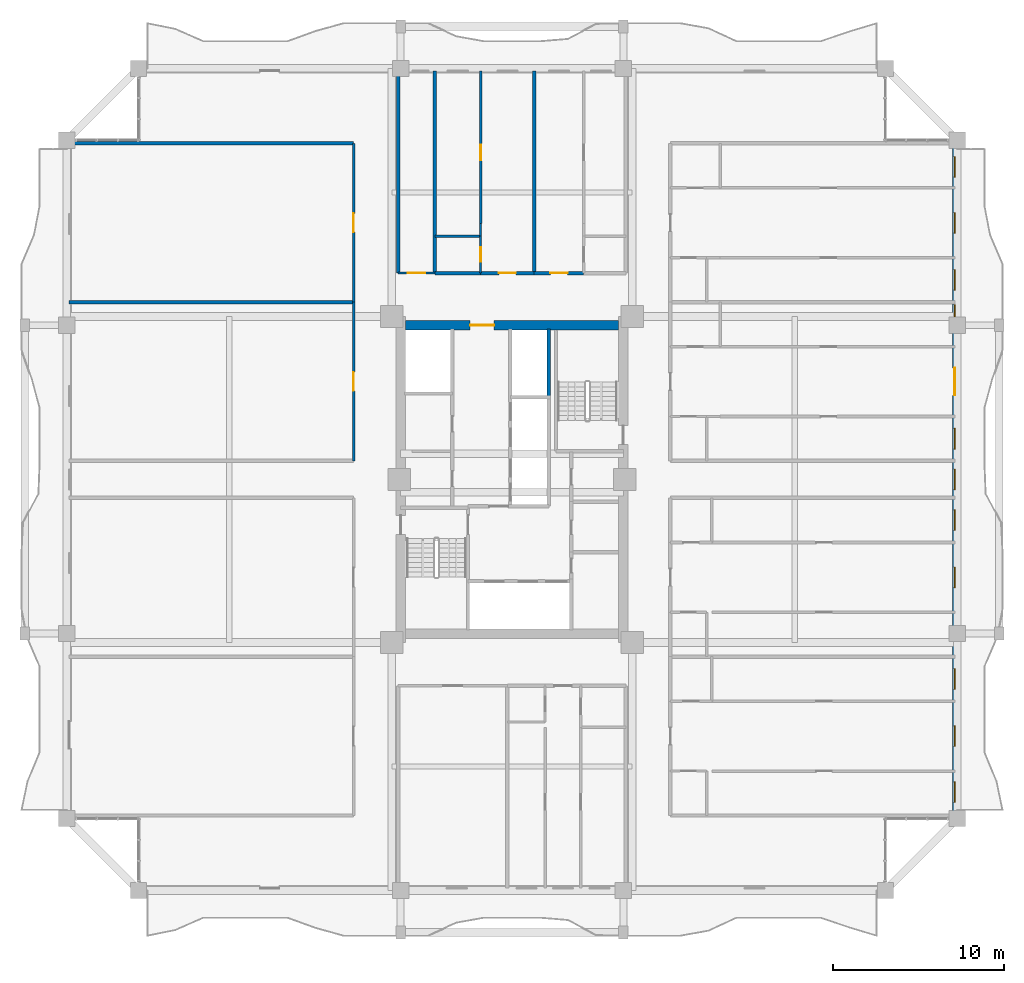
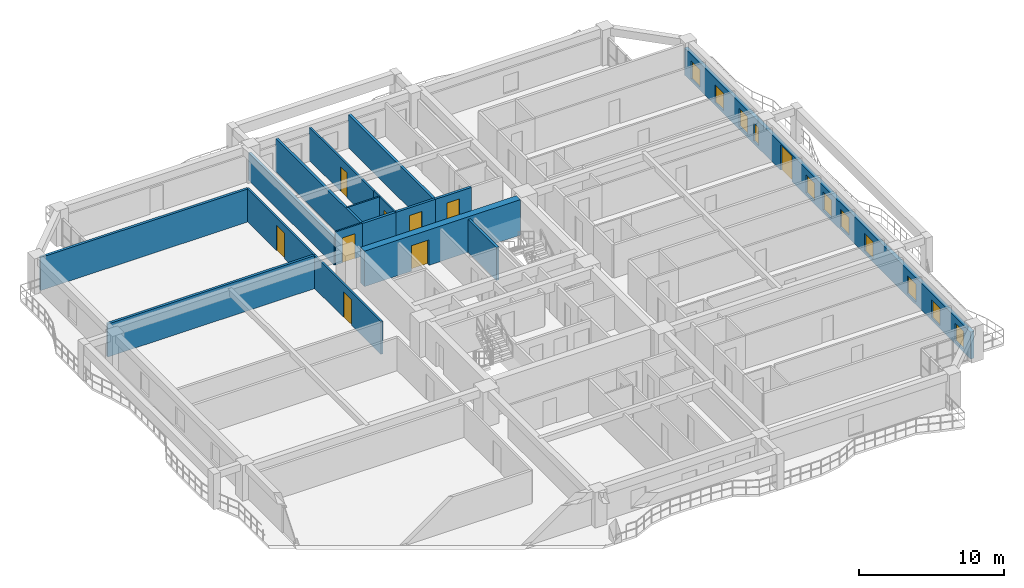
# One storey, part 17 of 24: 18 walls, 11 windows, 9 doors, 20 openings.
"""IFC4 building model written with IfcOpenShell, lengths in metres."""

from ifc_helpers import new_model, si_unit, direction, frame, frame_2d, origin, place, context, subcontext, project, spatial, rectangle, extrude, source, transform, mapped, material, layer, layer_set, type_object, element, fill, save


model = new_model("IFC4")

# Units and contexts
model_context = context("Model", 3, precision=1e-05, world=origin(), true_north=direction((0.0, 1.0)))
body_context = subcontext(model_context, "Body", "Model", "MODEL_VIEW")
ifc_project = project(units=[si_unit("LENGTHUNIT", "METRE"), si_unit("AREAUNIT", "SQUARE_METRE"), si_unit("VOLUMEUNIT", "CUBIC_METRE"), si_unit("PLANEANGLEUNIT", "RADIAN"), si_unit("MASSUNIT", "GRAM", prefix="KILO")], contexts=[model_context])

# Site, building, storey
site_placement = place(None, origin())
site = spatial("IfcSite", under=ifc_project, at=site_placement, CompositionType="ELEMENT")
building_placement = place(site_placement, origin())
building = spatial("IfcBuilding", under=site, at=building_placement, Name="Saelheon Loggia Tower", CompositionType="ELEMENT")
storey_placement = place(building_placement, frame((0.0, 0.0, 98.85009765625)))
storey = spatial("IfcBuildingStorey", under=building, at=storey_placement, Name="L31", CompositionType="ELEMENT", Elevation=98.85009765625)

# Wall, opening, door
ifc_material_1 = material(Name="Concrete C50/60", Category="concrete")
ifc_layer_1 = layer(ifc_material_1, 0.550048828125)
ifc_layer_set_1 = layer_set([ifc_layer_1], Name="Concrete C50/60")
wall_type_1 = type_object("IfcWallType", Name="Wall_CoreShear_550", PredefinedType="SHEAR", material=ifc_layer_set_1)
wall_1_placement = place(storey_placement, frame((31.77490234375, 36.0, 0.0), z_axis=(0.0, 0.0, 1.0), x_axis=(1.0, 0.0, 0.0)))
wall_1 = element("IfcWall", 1, at=wall_1_placement, inside=storey, type_object=wall_type_1, Name="L31 Core Shear Wall North", PredefinedType="SHEAR", context=body_context, shape_type="SweptSolid", body=[
    extrude(rectangle(XDim=12.4501953125, YDim=0.550048828125, at=frame_2d((6.22509765625, 0.0))), origin(), (0.0, 0.0, 1.0), 3.0),
])
opening_1_placement = place(wall_1_placement, frame((5.1748046875, 0.0, 0.0), z_axis=(0.0, 0.0, 1.0), x_axis=(-1.0, 0.0, 0.0)))
opening_1 = element("IfcOpeningElement", 2, at=opening_1_placement, cuts=wall_1, Name="Opening D-FD2L", PredefinedType="OPENING", context=body_context, shape_type="SweptSolid", body=[
    extrude(rectangle(XDim=1.39990234375, YDim=2.14990234375, at=frame_2d((0.699951171875, 1.074951171875))), frame((0.0, 0.287109375, 0.0), z_axis=(0.0, -1.0, 0.0), x_axis=(1.0, 0.0, 0.0)), (0.0, 0.0, 1.0), 0.573974609375),
])
ifc_material_2 = material(Name="Galvanised Steel Glazed Lobby Fire Door", Category="steel")
door_type_1 = type_object("IfcDoorType", Name="Door_Fire_FD60_1400", OperationType="NOTDEFINED", PredefinedType="DOOR", material=ifc_material_2)
shared_shape_1 = source(origin(), body_context, "Body", "SweptSolid", [
    extrude(rectangle(XDim=1.39990234375, YDim=2.14990234375, at=frame_2d((0.699951171875, 1.074951171875))), frame((0.0, 0.02490234375, 0.0), z_axis=(0.0, -1.0, 0.0), x_axis=(1.0, 0.0, 0.0)), (0.0, 0.0, 1.0), 0.050048828125),
])
door_1_placement = place(opening_1_placement, origin())
door_1 = element("IfcDoor", 3, at=door_1_placement, inside=storey, type_object=door_type_1, Name="L31 Passenger Lift Lobby Main Door", OperationType="SINGLE_SWING_RIGHT", OverallHeight=2.14990234375, OverallWidth=1.39990234375, PredefinedType="DOOR", context=body_context, shape_type="MappedRepresentation", body=[
    mapped(shared_shape_1, transform((0.0, 0.0, 0.0), scale=1.0)),
])
fill(opening_1, door_1)

# Wall, openings, windows, door
ifc_material_3 = material(Name="Architectural Precast Concrete C40/50", Category="concrete")
ifc_layer_2 = layer(ifc_material_3, 0.280029296875)
ifc_layer_set_2 = layer_set([ifc_layer_2], Name="Architectural Precast Concrete C40/50")
wall_type_2 = type_object("IfcWallType", Name="Wall_Ext_Loggia_280", PredefinedType="SOLIDWALL", material=ifc_layer_set_2)
wall_2_placement = place(storey_placement, frame((63.860107421875, 7.199951171875, 0.0), z_axis=(0.0, 0.0, 1.0), x_axis=(0.0, 1.0, 0.0)))
wall_2 = element("IfcWall", 4, at=wall_2_placement, inside=storey, type_object=wall_type_2, Name="L31 East Loggia Inner Wall", PredefinedType="SOLIDWALL", context=body_context, shape_type="SweptSolid", body=[
    extrude(rectangle(XDim=39.60009765625, YDim=0.280029296875, at=frame_2d((19.800048828125, 0.0))), origin(), (0.0, 0.0, 1.0), 2.27978515625),
])
opening_2_placement = place(wall_2_placement, frame((0.9453125, 0.0, 0.25)))
opening_2 = element("IfcOpeningElement", 5, at=opening_2_placement, cuts=wall_2, Name="Opening WN-03", PredefinedType="OPENING", context=body_context, shape_type="SweptSolid", body=[
    extrude(rectangle(XDim=1.199951171875, YDim=1.5, at=frame_2d((0.60009765625, 0.75))), frame((0.0, 0.152099609375, 0.0), z_axis=(0.0, -1.0, 0.0), x_axis=(1.0, 0.0, 0.0)), (0.0, 0.0, 1.0), 0.303955078125),
])
opening_3_placement = place(wall_2_placement, frame((4.212890625, 0.0, 0.25)))
opening_3 = element("IfcOpeningElement", 6, at=opening_3_placement, cuts=wall_2, Name="Opening WN-03", PredefinedType="OPENING", context=body_context, shape_type="SweptSolid", body=[
    extrude(rectangle(XDim=1.199951171875, YDim=1.5, at=frame_2d((0.60009765625, 0.75))), frame((0.0, 0.152099609375, 0.0), z_axis=(0.0, -1.0, 0.0), x_axis=(1.0, 0.0, 0.0)), (0.0, 0.0, 1.0), 0.303955078125),
])
opening_4_placement = place(wall_2_placement, frame((7.550048828125, 0.0, 0.25)))
opening_4 = element("IfcOpeningElement", 7, at=opening_4_placement, cuts=wall_2, Name="Opening WN-03", PredefinedType="OPENING", context=body_context, shape_type="SweptSolid", body=[
    extrude(rectangle(XDim=1.199951171875, YDim=1.5, at=frame_2d((0.60009765625, 0.75))), frame((0.0, 0.152099609375, 0.0), z_axis=(0.0, -1.0, 0.0), x_axis=(1.0, 0.0, 0.0)), (0.0, 0.0, 1.0), 0.303955078125),
])
opening_5_placement = place(wall_2_placement, frame((13.48291015625, 0.0, 0.25)))
opening_5 = element("IfcOpeningElement", 8, at=opening_5_placement, cuts=wall_2, Name="Opening WN-03", PredefinedType="OPENING", context=body_context, shape_type="SweptSolid", body=[
    extrude(rectangle(XDim=1.199951171875, YDim=1.5, at=frame_2d((0.60009765625, 0.75))), frame((0.0, 0.152099609375, 0.0), z_axis=(0.0, -1.0, 0.0), x_axis=(1.0, 0.0, 0.0)), (0.0, 0.0, 1.0), 0.303955078125),
])
opening_6_placement = place(wall_2_placement, frame((16.820068359375, 0.0, 0.25)))
opening_6 = element("IfcOpeningElement", 9, at=opening_6_placement, cuts=wall_2, Name="Opening WN-03", PredefinedType="OPENING", context=body_context, shape_type="SweptSolid", body=[
    extrude(rectangle(XDim=1.199951171875, YDim=1.5, at=frame_2d((0.60009765625, 0.75))), frame((0.0, 0.152099609375, 0.0), z_axis=(0.0, -1.0, 0.0), x_axis=(1.0, 0.0, 0.0)), (0.0, 0.0, 1.0), 0.303955078125),
])
opening_7_placement = place(wall_2_placement, frame((19.199951171875, 0.0, 0.25)))
opening_7 = element("IfcOpeningElement", 10, at=opening_7_placement, cuts=wall_2, Name="Opening WN-03", PredefinedType="OPENING", context=body_context, shape_type="SweptSolid", body=[
    extrude(rectangle(XDim=1.199951171875, YDim=1.5, at=frame_2d((0.60009765625, 0.75))), frame((0.0, 0.152099609375, 0.0), z_axis=(0.0, -1.0, 0.0), x_axis=(1.0, 0.0, 0.0)), (0.0, 0.0, 1.0), 0.303955078125),
])
opening_8_placement = place(wall_2_placement, frame((21.577880859375, 0.0, 0.25)))
opening_8 = element("IfcOpeningElement", 11, at=opening_8_placement, cuts=wall_2, Name="Opening WN-03", PredefinedType="OPENING", context=body_context, shape_type="SweptSolid", body=[
    extrude(rectangle(XDim=1.199951171875, YDim=1.5, at=frame_2d((0.60009765625, 0.75))), frame((0.0, 0.152099609375, 0.0), z_axis=(0.0, -1.0, 0.0), x_axis=(1.0, 0.0, 0.0)), (0.0, 0.0, 1.0), 0.303955078125),
])
opening_9_placement = place(wall_2_placement, frame((26.31298828125, 0.0, 0.0), z_axis=(0.0, 0.0, 1.0), x_axis=(-1.0, 0.0, 0.0)))
opening_9 = element("IfcOpeningElement", 12, at=opening_9_placement, cuts=wall_2, Name="Opening DLG-1", PredefinedType="OPENING", context=body_context, shape_type="SweptSolid", body=[
    extrude(rectangle(XDim=1.60009765625, YDim=2.14990234375, at=frame_2d((0.800048828125, 1.074951171875))), frame((0.0, 0.152099609375, 0.0), z_axis=(0.0, -1.0, 0.0), x_axis=(1.0, 0.0, 0.0)), (0.0, 0.0, 1.0), 0.303955078125),
])
opening_10_placement = place(wall_2_placement, frame((29.304931640625, 0.0, 0.25)))
opening_10 = element("IfcOpeningElement", 13, at=opening_10_placement, cuts=wall_2, Name="Opening WN-06", PredefinedType="OPENING", context=body_context, shape_type="SweptSolid", body=[
    extrude(rectangle(XDim=0.699951171875, YDim=1.5, at=frame_2d((0.35009765625, 0.75))), frame((0.0, 0.152099609375, 0.0), z_axis=(0.0, -1.0, 0.0), x_axis=(1.0, 0.0, 0.0)), (0.0, 0.0, 1.0), 0.303955078125),
])
opening_11_placement = place(wall_2_placement, frame((30.847900390625, 0.0, 0.25)))
opening_11 = element("IfcOpeningElement", 14, at=opening_11_placement, cuts=wall_2, Name="Opening WN-03", PredefinedType="OPENING", context=body_context, shape_type="SweptSolid", body=[
    extrude(rectangle(XDim=1.199951171875, YDim=1.5, at=frame_2d((0.60009765625, 0.75))), frame((0.0, 0.152099609375, 0.0), z_axis=(0.0, -1.0, 0.0), x_axis=(1.0, 0.0, 0.0)), (0.0, 0.0, 1.0), 0.303955078125),
])
opening_12_placement = place(wall_2_placement, frame((34.182861328125, 0.0, 0.25)))
opening_12 = element("IfcOpeningElement", 15, at=opening_12_placement, cuts=wall_2, Name="Opening WN-03", PredefinedType="OPENING", context=body_context, shape_type="SweptSolid", body=[
    extrude(rectangle(XDim=1.199951171875, YDim=1.5, at=frame_2d((0.60009765625, 0.75))), frame((0.0, 0.152099609375, 0.0), z_axis=(0.0, -1.0, 0.0), x_axis=(1.0, 0.0, 0.0)), (0.0, 0.0, 1.0), 0.303955078125),
])
opening_13_placement = place(wall_2_placement, frame((37.452392578125, 0.0, 0.25)))
opening_13 = element("IfcOpeningElement", 16, at=opening_13_placement, cuts=wall_2, Name="Opening WN-03", PredefinedType="OPENING", context=body_context, shape_type="SweptSolid", body=[
    extrude(rectangle(XDim=1.199951171875, YDim=1.5, at=frame_2d((0.60009765625, 0.75))), frame((0.0, 0.152099609375, 0.0), z_axis=(0.0, -1.0, 0.0), x_axis=(1.0, 0.0, 0.0)), (0.0, 0.0, 1.0), 0.303955078125),
])
ifc_material_4 = material(Name="Thermal-Break Aluminium and Triple Low-E Glass", Category="aluminium")
window_type_1 = type_object("IfcWindowType", Name="Win_Slot_700x1500", PartitioningType="SINGLE_PANEL", PredefinedType="WINDOW", material=ifc_material_4)
shared_shape_2 = source(origin(), body_context, "Body", "SweptSolid", [
    extrude(rectangle(XDim=0.699951171875, YDim=1.5, at=frame_2d((0.35009765625, 0.75))), frame((0.0, 0.030029296875, 0.0), z_axis=(0.0, -1.0, 0.0), x_axis=(1.0, 0.0, 0.0)), (0.0, 0.0, 1.0), 0.06005859375),
])
window_1_placement = place(opening_10_placement, origin())
window_1 = element("IfcWindow", 17, at=window_1_placement, inside=storey, type_object=window_type_1, Name="L31 E Dwelling Window 9", OverallHeight=1.5, OverallWidth=0.699951171875, PartitioningType="SINGLE_PANEL", PredefinedType="WINDOW", context=body_context, shape_type="MappedRepresentation", body=[
    mapped(shared_shape_2, transform((0.0, 0.0, 0.0), scale=1.0)),
])
fill(opening_10, window_1)
window_type_2 = type_object("IfcWindowType", Name="Win_Bedroom_1200x1500", PartitioningType="SINGLE_PANEL", PredefinedType="WINDOW", material=ifc_material_4)
shared_shape_3 = source(origin(), body_context, "Body", "SweptSolid", [
    extrude(rectangle(XDim=1.199951171875, YDim=1.5, at=frame_2d((0.60009765625, 0.75))), frame((0.0, 0.030029296875, 0.0), z_axis=(0.0, -1.0, 0.0), x_axis=(1.0, 0.0, 0.0)), (0.0, 0.0, 1.0), 0.06005859375),
])
window_2_placement = place(opening_2_placement, origin())
window_2 = element("IfcWindow", 18, at=window_2_placement, inside=storey, type_object=window_type_2, Name="L31 E Dwelling Window 1", OverallHeight=1.5, OverallWidth=1.199951171875, PartitioningType="SINGLE_PANEL", PredefinedType="WINDOW", context=body_context, shape_type="MappedRepresentation", body=[
    mapped(shared_shape_3, transform((0.0, 0.0, 0.0), scale=1.0)),
])
fill(opening_2, window_2)
window_3_placement = place(opening_3_placement, origin())
window_3 = element("IfcWindow", 19, at=window_3_placement, inside=storey, type_object=window_type_2, Name="L31 E Dwelling Window 2", OverallHeight=1.5, OverallWidth=1.199951171875, PartitioningType="SINGLE_PANEL", PredefinedType="WINDOW", context=body_context, shape_type="MappedRepresentation", body=[
    mapped(shared_shape_3, transform((0.0, 0.0, 0.0), scale=1.0)),
])
fill(opening_3, window_3)
window_4_placement = place(opening_4_placement, origin())
window_4 = element("IfcWindow", 20, at=window_4_placement, inside=storey, type_object=window_type_2, Name="L31 E Dwelling Window 3", OverallHeight=1.5, OverallWidth=1.199951171875, PartitioningType="SINGLE_PANEL", PredefinedType="WINDOW", context=body_context, shape_type="MappedRepresentation", body=[
    mapped(shared_shape_3, transform((0.0, 0.0, 0.0), scale=1.0)),
])
fill(opening_4, window_4)
window_5_placement = place(opening_5_placement, origin())
window_5 = element("IfcWindow", 21, at=window_5_placement, inside=storey, type_object=window_type_2, Name="L31 E Dwelling Window 4", OverallHeight=1.5, OverallWidth=1.199951171875, PartitioningType="SINGLE_PANEL", PredefinedType="WINDOW", context=body_context, shape_type="MappedRepresentation", body=[
    mapped(shared_shape_3, transform((0.0, 0.0, 0.0), scale=1.0)),
])
fill(opening_5, window_5)
window_6_placement = place(opening_6_placement, origin())
window_6 = element("IfcWindow", 22, at=window_6_placement, inside=storey, type_object=window_type_2, Name="L31 E Dwelling Window 5", OverallHeight=1.5, OverallWidth=1.199951171875, PartitioningType="SINGLE_PANEL", PredefinedType="WINDOW", context=body_context, shape_type="MappedRepresentation", body=[
    mapped(shared_shape_3, transform((0.0, 0.0, 0.0), scale=1.0)),
])
fill(opening_6, window_6)
window_7_placement = place(opening_7_placement, origin())
window_7 = element("IfcWindow", 23, at=window_7_placement, inside=storey, type_object=window_type_2, Name="L31 E Dwelling Window 6", OverallHeight=1.5, OverallWidth=1.199951171875, PartitioningType="SINGLE_PANEL", PredefinedType="WINDOW", context=body_context, shape_type="MappedRepresentation", body=[
    mapped(shared_shape_3, transform((0.0, 0.0, 0.0), scale=1.0)),
])
fill(opening_7, window_7)
window_8_placement = place(opening_8_placement, origin())
window_8 = element("IfcWindow", 24, at=window_8_placement, inside=storey, type_object=window_type_2, Name="L31 E Dwelling Window 7", OverallHeight=1.5, OverallWidth=1.199951171875, PartitioningType="SINGLE_PANEL", PredefinedType="WINDOW", context=body_context, shape_type="MappedRepresentation", body=[
    mapped(shared_shape_3, transform((0.0, 0.0, 0.0), scale=1.0)),
])
fill(opening_8, window_8)
window_9_placement = place(opening_11_placement, origin())
window_9 = element("IfcWindow", 25, at=window_9_placement, inside=storey, type_object=window_type_2, Name="L31 E Dwelling Window 10", OverallHeight=1.5, OverallWidth=1.199951171875, PartitioningType="SINGLE_PANEL", PredefinedType="WINDOW", context=body_context, shape_type="MappedRepresentation", body=[
    mapped(shared_shape_3, transform((0.0, 0.0, 0.0), scale=1.0)),
])
fill(opening_11, window_9)
window_10_placement = place(opening_12_placement, origin())
window_10 = element("IfcWindow", 26, at=window_10_placement, inside=storey, type_object=window_type_2, Name="L31 E Dwelling Window 11", OverallHeight=1.5, OverallWidth=1.199951171875, PartitioningType="SINGLE_PANEL", PredefinedType="WINDOW", context=body_context, shape_type="MappedRepresentation", body=[
    mapped(shared_shape_3, transform((0.0, 0.0, 0.0), scale=1.0)),
])
fill(opening_12, window_10)
window_11_placement = place(opening_13_placement, origin())
window_11 = element("IfcWindow", 27, at=window_11_placement, inside=storey, type_object=window_type_2, Name="L31 E Dwelling Window 12", OverallHeight=1.5, OverallWidth=1.199951171875, PartitioningType="SINGLE_PANEL", PredefinedType="WINDOW", context=body_context, shape_type="MappedRepresentation", body=[
    mapped(shared_shape_3, transform((0.0, 0.0, 0.0), scale=1.0)),
])
fill(opening_13, window_11)
ifc_material_5 = material(Name="Thermal-Break Aluminium Sliding Glazed Door", Category="aluminium")
door_type_2 = type_object("IfcDoorType", Name="Door_LoggiaSlide_1600", OperationType="SLIDING_TO_LEFT", PredefinedType="DOOR", material=ifc_material_5)
shared_shape_4 = source(origin(), body_context, "Body", "SweptSolid", [
    extrude(rectangle(XDim=1.60009765625, YDim=2.14990234375, at=frame_2d((0.800048828125, 1.074951171875))), frame((0.0, 0.02490234375, 0.0), z_axis=(0.0, -1.0, 0.0), x_axis=(1.0, 0.0, 0.0)), (0.0, 0.0, 1.0), 0.050048828125),
])
door_2_placement = place(opening_9_placement, origin())
door_2 = element("IfcDoor", 28, at=door_2_placement, inside=storey, type_object=door_type_2, Name="L31 E Loggia Access Door", OperationType="SLIDING_TO_LEFT", OverallHeight=2.14990234375, OverallWidth=1.60009765625, PredefinedType="DOOR", context=body_context, shape_type="MappedRepresentation", body=[
    mapped(shared_shape_4, transform((0.0, 0.0, 0.0), scale=1.0)),
])
fill(opening_9, door_2)

# Wall, opening, door
ifc_material_6 = material(Name="Lightweight Autoclaved Aerated Concrete Block and Acoustic Gypsum", Category="concrete")
ifc_layer_3 = layer(ifc_material_6, 0.14990234375)
ifc_layer_set_3 = layer_set([ifc_layer_3], Name="Lightweight Autoclaved Aerated Concrete Block and Acoustic Gypsum")
wall_type_3 = type_object("IfcWallType", Name="Wall_Part_150", PredefinedType="PARTITIONING", material=ifc_layer_set_3)
wall_3_placement = place(storey_placement, frame((36.1669921875, 41.949951171875, 0.0), z_axis=(0.0, 0.0, 1.0), x_axis=(0.0, 1.0, 0.0)))
wall_3 = element("IfcWall", 29, at=wall_3_placement, inside=storey, type_object=wall_type_3, Name="L31 N Partition U10", PredefinedType="PARTITIONING", context=body_context, shape_type="SweptSolid", body=[
    extrude(rectangle(XDim=8.900146484375, YDim=0.14990234375, at=frame_2d((4.4501953125, 0.0))), origin(), (0.0, 0.0, 1.0), 2.789794921875),
])
opening_14_placement = place(wall_3_placement, frame((3.686767578125, 0.0, 0.0)))
opening_14 = element("IfcOpeningElement", 30, at=opening_14_placement, cuts=wall_3, Name="Opening D-IN2", PredefinedType="OPENING", context=body_context, shape_type="SweptSolid", body=[
    extrude(rectangle(XDim=0.89990234375, YDim=2.10009765625, at=frame_2d((0.449951171875, 1.050048828125))), frame((0.0, 0.0869140625, 0.0), z_axis=(0.0, -1.0, 0.0), x_axis=(1.0, 0.0, 0.0)), (0.0, 0.0, 1.0), 0.173828125),
])
ifc_material_7 = material(Name="Engineered Oak Flush Door", Category="timber")
door_type_3 = type_object("IfcDoorType", Name="Door_Int_900", OperationType="NOTDEFINED", PredefinedType="DOOR", material=ifc_material_7)
shared_shape_5 = source(origin(), body_context, "Body", "SweptSolid", [
    extrude(rectangle(XDim=0.89990234375, YDim=2.10009765625, at=frame_2d((0.449951171875, 1.050048828125))), frame((0.0, 0.02490234375, 0.0), z_axis=(0.0, -1.0, 0.0), x_axis=(1.0, 0.0, 0.0)), (0.0, 0.0, 1.0), 0.050048828125),
])
door_3_placement = place(opening_14_placement, origin())
door_3 = element("IfcDoor", 31, at=door_3_placement, inside=storey, type_object=door_type_3, Name="Unit U02 Kitchen Door", OperationType="SINGLE_SWING_RIGHT", OverallHeight=2.10009765625, OverallWidth=0.89990234375, PredefinedType="DOOR", context=body_context, shape_type="MappedRepresentation", body=[
    mapped(shared_shape_5, transform((0.0, 0.0, 0.0), scale=1.0)),
])
fill(opening_14, door_3)

wall_4_placement = place(storey_placement, frame((28.75, 28.080078125, 0.0), z_axis=(0.0, 0.0, 1.0), x_axis=(0.0, 1.0, 0.0)))
wall_4 = element("IfcWall", 32, at=wall_4_placement, inside=storey, type_object=wall_type_3, Name="L31 WN Partition V03", PredefinedType="PARTITIONING", context=body_context, shape_type="SweptSolid", body=[
    extrude(rectangle(XDim=9.27001953125, YDim=0.14990234375, at=frame_2d((4.635009765625, 0.0))), origin(), (0.0, 0.0, 1.0), 2.789794921875),
])
opening_15_placement = place(wall_4_placement, frame((4.0849609375, 0.0, 0.0)))
opening_15 = element("IfcOpeningElement", 33, at=opening_15_placement, cuts=wall_4, Name="Opening D-FD2", PredefinedType="OPENING", context=body_context, shape_type="SweptSolid", body=[
    extrude(rectangle(XDim=1.10009765625, YDim=2.14990234375, at=frame_2d((0.550048828125, 1.074951171875))), frame((0.0, 0.0869140625, 0.0), z_axis=(0.0, -1.0, 0.0), x_axis=(1.0, 0.0, 0.0)), (0.0, 0.0, 1.0), 0.173828125),
])
ifc_material_8 = material(Name="Galvanised Steel Fire Door", Category="steel")
door_type_4 = type_object("IfcDoorType", Name="Door_Fire_FD60_1100", OperationType="NOTDEFINED", PredefinedType="DOOR", material=ifc_material_8)
shared_shape_6 = source(origin(), body_context, "Body", "SweptSolid", [
    extrude(rectangle(XDim=1.10009765625, YDim=2.14990234375, at=frame_2d((0.550048828125, 1.074951171875))), frame((0.0, 0.02490234375, 0.0), z_axis=(0.0, -1.0, 0.0), x_axis=(1.0, 0.0, 0.0)), (0.0, 0.0, 1.0), 0.050048828125),
])
door_4_placement = place(opening_15_placement, origin())
door_4 = element("IfcDoor", 34, at=door_4_placement, inside=storey, type_object=door_type_4, Name="L31 Resident Seminar and Study Hall Door A", OperationType="SINGLE_SWING_RIGHT", OverallHeight=2.14990234375, OverallWidth=1.10009765625, PredefinedType="DOOR", context=body_context, shape_type="MappedRepresentation", body=[
    mapped(shared_shape_6, transform((0.0, 0.0, 0.0), scale=1.0)),
])
fill(opening_15, door_4)

wall_5_placement = place(storey_placement, frame((28.75, 37.35009765625, 0.0), z_axis=(0.0, 0.0, 1.0), x_axis=(0.0, 1.0, 0.0)))
wall_5 = element("IfcWall", 35, at=wall_5_placement, inside=storey, type_object=wall_type_3, Name="L31 WN Partition V05", PredefinedType="PARTITIONING", context=body_context, shape_type="SweptSolid", body=[
    extrude(rectangle(XDim=9.27001953125, YDim=0.14990234375, at=frame_2d((4.635009765625, 0.0))), origin(), (0.0, 0.0, 1.0), 2.789794921875),
])
opening_16_placement = place(wall_5_placement, frame((4.0849609375, 0.0, 0.0)))
opening_16 = element("IfcOpeningElement", 36, at=opening_16_placement, cuts=wall_5, Name="Opening D-FD2", PredefinedType="OPENING", context=body_context, shape_type="SweptSolid", body=[
    extrude(rectangle(XDim=1.10009765625, YDim=2.14990234375, at=frame_2d((0.550048828125, 1.074951171875))), frame((0.0, 0.0869140625, 0.0), z_axis=(0.0, -1.0, 0.0), x_axis=(1.0, 0.0, 0.0)), (0.0, 0.0, 1.0), 0.173828125),
])
door_5_placement = place(opening_16_placement, origin())
door_5 = element("IfcDoor", 37, at=door_5_placement, inside=storey, type_object=door_type_4, Name="L31 Resident Seminar and Study Hall Door A", OperationType="SINGLE_SWING_LEFT", OverallHeight=2.14990234375, OverallWidth=1.10009765625, PredefinedType="DOOR", context=body_context, shape_type="MappedRepresentation", body=[
    mapped(shared_shape_6, transform((0.0, 0.0, 0.0), scale=1.0)),
])
fill(opening_16, door_5)

# Walls
ifc_material_9 = material(Name="Double Acoustic Stud and Fireboard Partition", Category="gypsum")
ifc_layer_4 = layer(ifc_material_9, 0.199951171875)
ifc_layer_set_4 = layer_set([ifc_layer_4], Name="Double Acoustic Stud and Fireboard Partition")
wall_type_4 = type_object("IfcWallType", Name="Wall_Party_200", PredefinedType="PARTITIONING", material=ifc_layer_set_4)
wall_6_placement = place(storey_placement, frame((31.35009765625, 39.050048828125, 0.0), z_axis=(0.0, 0.0, 1.0), x_axis=(0.0, 1.0, 0.0)))
element("IfcWall", 38, at=wall_6_placement, inside=storey, type_object=wall_type_4, Name="L31 N Partition U01", PredefinedType="PARTITIONING", context=body_context, shape_type="SweptSolid", body=[
    extrude(rectangle(XDim=11.800048828125, YDim=0.199951171875, at=frame_2d((5.89990234375, 0.0))), origin(), (0.0, 0.0, 1.0), 2.33984375),
])
wall_7_placement = place(storey_placement, frame((33.5, 39.050048828125, 0.0), z_axis=(0.0, 0.0, 1.0), x_axis=(0.0, 1.0, 0.0)))
element("IfcWall", 39, at=wall_7_placement, inside=storey, type_object=wall_type_4, Name="L31 N Partition U03", PredefinedType="PARTITIONING", context=body_context, shape_type="SweptSolid", body=[
    extrude(rectangle(XDim=11.800048828125, YDim=0.199951171875, at=frame_2d((5.89990234375, 0.0))), origin(), (0.0, 0.0, 1.0), 2.789794921875),
])
wall_8_placement = place(storey_placement, frame((33.5, 39.050048828125, 0.0), z_axis=(0.0, 0.0, 1.0), x_axis=(1.0, 0.0, 0.0)))
element("IfcWall", 40, at=wall_8_placement, inside=storey, type_object=wall_type_4, Name="L31 N Partition V05", PredefinedType="PARTITIONING", context=body_context, shape_type="SweptSolid", body=[
    extrude(rectangle(XDim=2.6669921875, YDim=0.199951171875, at=frame_2d((1.33349609375, 0.0))), origin(), (0.0, 0.0, 1.0), 2.789794921875),
])

# Wall, opening, door
wall_9_placement = place(storey_placement, frame((36.1669921875, 39.050048828125, 0.0), z_axis=(0.0, 0.0, 1.0), x_axis=(1.0, 0.0, 0.0)))
wall_9 = element("IfcWall", 41, at=wall_9_placement, inside=storey, type_object=wall_type_4, Name="L31 N Partition V06", PredefinedType="PARTITIONING", context=body_context, shape_type="SweptSolid", body=[
    extrude(rectangle(XDim=3.131103515625, YDim=0.199951171875, at=frame_2d((1.5654296875, 0.0))), origin(), (0.0, 0.0, 1.0), 2.789794921875),
])
opening_17_placement = place(wall_9_placement, frame((1.0654296875, 0.0, 0.0)))
opening_17 = element("IfcOpeningElement", 42, at=opening_17_placement, cuts=wall_9, Name="Opening D-FD1", PredefinedType="OPENING", context=body_context, shape_type="SweptSolid", body=[
    extrude(rectangle(XDim=1.0, YDim=2.14990234375, at=frame_2d((0.5, 1.074951171875))), frame((0.0, 0.112060546875, 0.0), z_axis=(0.0, -1.0, 0.0), x_axis=(1.0, 0.0, 0.0)), (0.0, 0.0, 1.0), 0.223876953125),
])
ifc_material_10 = material(Name="Fire-Rated Engineered Timber Entrance Door", Category="wood")
door_type_5 = type_object("IfcDoorType", Name="Door_Flat_FD30S", OperationType="NOTDEFINED", PredefinedType="DOOR", material=ifc_material_10)
shared_shape_7 = source(origin(), body_context, "Body", "SweptSolid", [
    extrude(rectangle(XDim=1.0, YDim=2.14990234375, at=frame_2d((0.5, 1.074951171875))), frame((0.0, 0.02490234375, 0.0), z_axis=(0.0, -1.0, 0.0), x_axis=(1.0, 0.0, 0.0)), (0.0, 0.0, 1.0), 0.050048828125),
])
door_6_placement = place(opening_17_placement, origin())
door_6 = element("IfcDoor", 43, at=door_6_placement, inside=storey, type_object=door_type_5, Name="Unit U02 Entrance Door", OperationType="SINGLE_SWING_RIGHT", OverallHeight=2.14990234375, OverallWidth=1.0, PredefinedType="DOOR", context=body_context, shape_type="MappedRepresentation", body=[
    mapped(shared_shape_7, transform((0.0, 0.0, 0.0), scale=1.0)),
])
fill(opening_17, door_6)

# Wall
wall_10_placement = place(storey_placement, frame((39.298095703125, 39.050048828125, 0.0), z_axis=(0.0, 0.0, 1.0), x_axis=(0.0, 1.0, 0.0)))
element("IfcWall", 44, at=wall_10_placement, inside=storey, type_object=wall_type_4, Name="L31 N Partition U11", PredefinedType="PARTITIONING", context=body_context, shape_type="SweptSolid", body=[
    extrude(rectangle(XDim=11.800048828125, YDim=0.199951171875, at=frame_2d((5.89990234375, 0.0))), origin(), (0.0, 0.0, 1.0), 2.789794921875),
])

# Wall, opening, door
wall_11_placement = place(storey_placement, frame((39.298095703125, 39.050048828125, 0.0), z_axis=(0.0, 0.0, 1.0), x_axis=(1.0, 0.0, 0.0)))
wall_11 = element("IfcWall", 45, at=wall_11_placement, inside=storey, type_object=wall_type_4, Name="L31 N Partition V12", PredefinedType="PARTITIONING", context=body_context, shape_type="SweptSolid", body=[
    extrude(rectangle(XDim=2.889892578125, YDim=0.199951171875, at=frame_2d((1.44482421875, 0.0))), origin(), (0.0, 0.0, 1.0), 2.789794921875),
])
opening_18_placement = place(wall_11_placement, frame((0.945068359375, 0.0, 0.0)))
opening_18 = element("IfcOpeningElement", 46, at=opening_18_placement, cuts=wall_11, Name="Opening D-FD1", PredefinedType="OPENING", context=body_context, shape_type="SweptSolid", body=[
    extrude(rectangle(XDim=1.0, YDim=2.14990234375, at=frame_2d((0.5, 1.074951171875))), frame((0.0, 0.112060546875, 0.0), z_axis=(0.0, -1.0, 0.0), x_axis=(1.0, 0.0, 0.0)), (0.0, 0.0, 1.0), 0.223876953125),
])
door_7_placement = place(opening_18_placement, origin())
door_7 = element("IfcDoor", 47, at=door_7_placement, inside=storey, type_object=door_type_5, Name="Unit U03 Entrance Door", OperationType="SINGLE_SWING_LEFT", OverallHeight=2.14990234375, OverallWidth=1.0, PredefinedType="DOOR", context=body_context, shape_type="MappedRepresentation", body=[
    mapped(shared_shape_7, transform((0.0, 0.0, 0.0), scale=1.0)),
])
fill(opening_18, door_7)

# Walls
for number, where, z_axis, x_axis, name in (
    (48, (28.75, 46.6201171875, 0.0), (0.0, 0.0, 1.0), (-1.0, 0.0, 0.0), "L31 WN Partition U02"),
    (49, (28.75, 37.35009765625, 0.0), (0.0, 0.0, 1.0), (-1.0, 0.0, 0.0), "L31 WN Partition U04"),
):
    element("IfcWall", number, at=place(storey_placement, frame(where, z_axis=z_axis, x_axis=x_axis)), inside=storey, type_object=wall_type_4, Name=name, PredefinedType="PARTITIONING", context=body_context, shape_type="SweptSolid", body=[
        extrude(rectangle(XDim=16.60009765625, YDim=0.199951171875, at=frame_2d((8.300048828125, 0.0))), origin(), (0.0, 0.0, 1.0), 2.789794921875),
    ])
ifc_material_11 = material(Name="Concrete C40/50", Category="concrete")
ifc_layer_5 = layer(ifc_material_11, 0.199951171875)
ifc_layer_set_5 = layer_set([ifc_layer_5], Name="Concrete C40/50")
wall_type_5 = type_object("IfcWallType", Name="Wall_Shaft_200", PredefinedType="PARTITIONING", material=ifc_layer_set_5)
wall_12_placement = place(storey_placement, frame((40.14990234375, 31.800048828125, 0.0), z_axis=(0.0, 0.0, 1.0), x_axis=(0.0, 1.0, 0.0)))
element("IfcWall", 50, at=wall_12_placement, inside=storey, type_object=wall_type_5, Name="L31 East High-Rise Hoistway East Wall", PredefinedType="PARTITIONING", context=body_context, shape_type="SweptSolid", body=[
    extrude(rectangle(XDim=3.97998046875, YDim=0.199951171875, at=frame_2d((1.989990234375, 0.0))), origin(), (0.0, 0.0, 1.0), 2.789794921875),
])

# Wall, opening, door
ifc_material_12 = material(Name="Moisture-Resistant Cement Board Partition", Category="gypsum")
ifc_layer_6 = layer(ifc_material_12, 0.1201171875)
ifc_layer_set_6 = layer_set([ifc_layer_6], Name="Moisture-Resistant Cement Board Partition")
wall_type_6 = type_object("IfcWallType", Name="Wall_WetPart_120", PredefinedType="PARTITIONING", material=ifc_layer_set_6)
wall_13_placement = place(storey_placement, frame((31.35009765625, 39.050048828125, 0.0), z_axis=(0.0, 0.0, 1.0), x_axis=(1.0, 0.0, 0.0)))
wall_13 = element("IfcWall", 51, at=wall_13_placement, inside=storey, type_object=wall_type_6, Name="L31 N Partition V04", PredefinedType="PARTITIONING", context=body_context, shape_type="SweptSolid", body=[
    extrude(rectangle(XDim=2.14990234375, YDim=0.1201171875, at=frame_2d((1.074951171875, 0.0))), origin(), (0.0, 0.0, 1.0), 2.789794921875),
])
opening_19_placement = place(wall_13_placement, frame((0.574951171875, 0.0, 0.0)))
opening_19 = element("IfcOpeningElement", 52, at=opening_19_placement, cuts=wall_13, Name="Opening D-AC1", PredefinedType="OPENING", context=body_context, shape_type="SweptSolid", body=[
    extrude(rectangle(XDim=1.0, YDim=2.10009765625, at=frame_2d((0.5, 1.050048828125))), frame((0.0, 0.072021484375, 0.0), z_axis=(0.0, -1.0, 0.0), x_axis=(1.0, 0.0, 0.0)), (0.0, 0.0, 1.0), 0.14404296875),
])
ifc_material_13 = material(Name="Accessible Laminate Flush Door", Category="timber")
door_type_6 = type_object("IfcDoorType", Name="Door_Acc_1000", OperationType="NOTDEFINED", PredefinedType="DOOR", material=ifc_material_13)
shared_shape_8 = source(origin(), body_context, "Body", "SweptSolid", [
    extrude(rectangle(XDim=1.0, YDim=2.10009765625, at=frame_2d((0.5, 1.050048828125))), frame((0.0, 0.02490234375, 0.0), z_axis=(0.0, -1.0, 0.0), x_axis=(1.0, 0.0, 0.0)), (0.0, 0.0, 1.0), 0.050048828125),
])
door_8_placement = place(opening_19_placement, origin())
door_8 = element("IfcDoor", 53, at=door_8_placement, inside=storey, type_object=door_type_6, Name="L31 Floor Accessible WC Door", OperationType="SINGLE_SWING_LEFT", OverallHeight=2.10009765625, OverallWidth=1.0, PredefinedType="DOOR", context=body_context, shape_type="MappedRepresentation", body=[
    mapped(shared_shape_8, transform((0.0, 0.0, 0.0), scale=1.0)),
])
fill(opening_19, door_8)

wall_14_placement = place(storey_placement, frame((36.1669921875, 39.050048828125, 0.0), z_axis=(0.0, 0.0, 1.0), x_axis=(0.0, 1.0, 0.0)))
wall_14 = element("IfcWall", 54, at=wall_14_placement, inside=storey, type_object=wall_type_6, Name="L31 N Partition U07", PredefinedType="PARTITIONING", context=body_context, shape_type="SweptSolid", body=[
    extrude(rectangle(XDim=2.14990234375, YDim=0.1201171875, at=frame_2d((1.074951171875, 0.0))), origin(), (0.0, 0.0, 1.0), 2.789794921875),
])
opening_20_placement = place(wall_14_placement, frame((0.64990234375, 0.0, 0.0)))
opening_20 = element("IfcOpeningElement", 55, at=opening_20_placement, cuts=wall_14, Name="Opening D-BT1", PredefinedType="OPENING", context=body_context, shape_type="SweptSolid", body=[
    extrude(rectangle(XDim=0.85009765625, YDim=2.050048828125, at=frame_2d((0.425048828125, 1.02490234375))), frame((0.0, 0.072021484375, 0.0), z_axis=(0.0, -1.0, 0.0), x_axis=(1.0, 0.0, 0.0)), (0.0, 0.0, 1.0), 0.14404296875),
])
ifc_material_14 = material(Name="Moisture-Resistant Laminate Timber Door", Category="wood")
door_type_7 = type_object("IfcDoorType", Name="Door_Bath_850", OperationType="NOTDEFINED", PredefinedType="DOOR", material=ifc_material_14)
shared_shape_9 = source(origin(), body_context, "Body", "SweptSolid", [
    extrude(rectangle(XDim=0.85009765625, YDim=2.050048828125, at=frame_2d((0.425048828125, 1.02490234375))), frame((0.0, 0.02490234375, 0.0), z_axis=(0.0, -1.0, 0.0), x_axis=(1.0, 0.0, 0.0)), (0.0, 0.0, 1.0), 0.050048828125),
])
door_9_placement = place(opening_20_placement, origin())
door_9 = element("IfcDoor", 56, at=door_9_placement, inside=storey, type_object=door_type_7, Name="Unit U02 Bathroom Door", OperationType="SINGLE_SWING_LEFT", OverallHeight=2.050048828125, OverallWidth=0.85009765625, PredefinedType="DOOR", context=body_context, shape_type="MappedRepresentation", body=[
    mapped(shared_shape_9, transform((0.0, 0.0, 0.0), scale=1.0)),
])
fill(opening_20, door_9)

# Walls
wall_15_placement = place(storey_placement, frame((36.1669921875, 41.199951171875, 0.0), z_axis=(0.0, 0.0, 1.0), x_axis=(0.0, 1.0, 0.0)))
element("IfcWall", 57, at=wall_15_placement, inside=storey, type_object=wall_type_6, Name="L31 N Partition U08", PredefinedType="PARTITIONING", context=body_context, shape_type="SweptSolid", body=[
    extrude(rectangle(XDim=0.75, YDim=0.1201171875, at=frame_2d((0.375, 0.0))), origin(), (0.0, 0.0, 1.0), 2.789794921875),
])
wall_16_placement = place(storey_placement, frame((33.5, 41.199951171875, 0.0), z_axis=(0.0, 0.0, 1.0), x_axis=(1.0, 0.0, 0.0)))
element("IfcWall", 58, at=wall_16_placement, inside=storey, type_object=wall_type_6, Name="L31 N Partition V09", PredefinedType="PARTITIONING", context=body_context, shape_type="SweptSolid", body=[
    extrude(rectangle(XDim=2.6669921875, YDim=0.1201171875, at=frame_2d((1.33349609375, 0.0))), origin(), (0.0, 0.0, 1.0), 2.789794921875),
])

save(model, "model.ifc")
